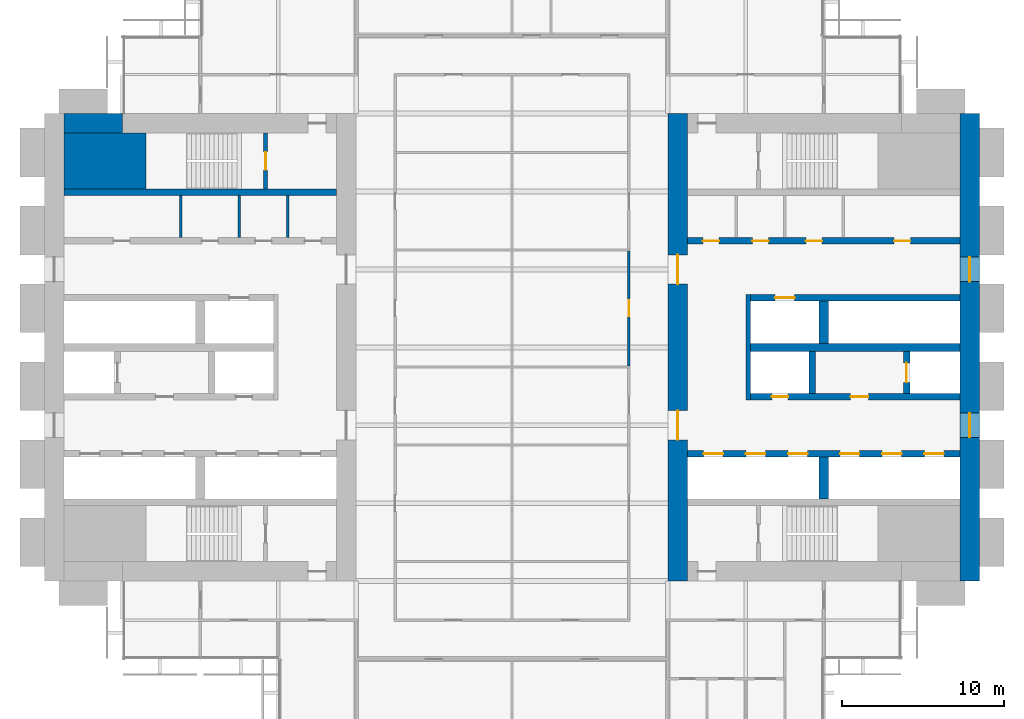
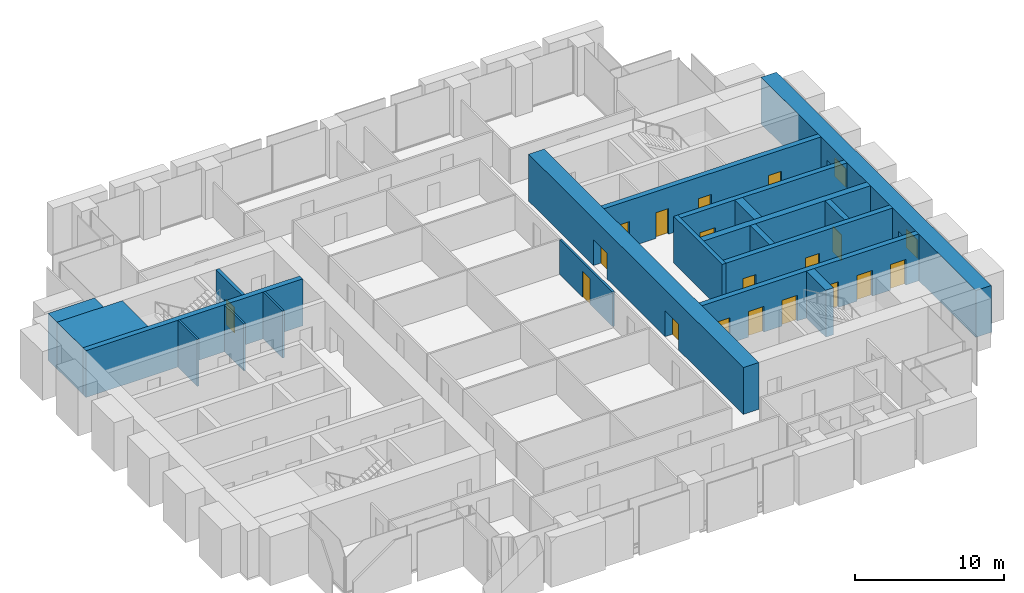
# One storey, part 11 of 14: 20 walls, 18 doors, 2 windows, 20 openings.
"""IFC4 building model written with IfcOpenShell, lengths in metres."""

from ifc_helpers import new_model, si_unit, direction, frame, frame_2d, origin, place, context, subcontext, project, spatial, rectangle, extrude, material, layer, layer_set, type_object, element, fill, save


model = new_model("IFC4")

# Units and contexts
model_context = context("Model", 3, precision=1e-05, world=origin(), true_north=direction((0.0, 1.0)))
body_context = subcontext(model_context, "Body", "Model", "MODEL_VIEW")
ifc_project = project(units=[si_unit("LENGTHUNIT", "METRE"), si_unit("AREAUNIT", "SQUARE_METRE"), si_unit("VOLUMEUNIT", "CUBIC_METRE"), si_unit("PLANEANGLEUNIT", "RADIAN"), si_unit("MASSUNIT", "GRAM", prefix="KILO")], contexts=[model_context])

# Site, building, storey
site_placement = place(None, origin())
site = spatial("IfcSite", under=ifc_project, at=site_placement, CompositionType="ELEMENT")
building_placement = place(site_placement, origin())
building = spatial("IfcBuilding", under=site, at=building_placement, Name="Baori Bourse Tower", CompositionType="ELEMENT")
storey_placement = place(building_placement, frame((0.0, 0.0, 55.0)))
storey = spatial("IfcBuildingStorey", under=building, at=storey_placement, Name="L11", CompositionType="ELEMENT", Elevation=55.0)

# Walls
ifc_material_1 = material(Name="Concrete f'c 70 MPa", Category="concrete")
wall_type_1 = type_object("IfcWallType", Name="Core corner block f'c 70", PredefinedType="SHEAR", material=ifc_material_1)
wall_1_placement = place(storey_placement, frame((1.199951171875, 35.47509765625, 0.0), z_axis=(0.0, 0.0, 1.0), x_axis=(1.0, 0.0, 0.0)))
element("IfcWall", 1, at=wall_1_placement, inside=storey, type_object=wall_type_1, Name="Core wall W22", PredefinedType="SHEAR", context=body_context, shape_type="SweptSolid", body=[
    extrude(rectangle(XDim=5.050048828125, YDim=3.449951171875, at=frame_2d((2.52490234375, 0.0))), origin(), (0.0, 0.0, 1.0), 3.840087890625),
])
ifc_material_2 = material(Name="Blockwork partition", Category="masonry")
ifc_layer_1 = layer(ifc_material_2, 0.14990234375)
ifc_layer_set_1 = layer_set([ifc_layer_1], Name="Core partition 150")
wall_type_2 = type_object("IfcWallType", Name="Core partition 150", PredefinedType="PARTITIONING", material=ifc_layer_set_1)
for number, where, z_axis, x_axis, name in (
    (2, (8.39990234375, 30.75, 0.0), (0.0, 0.0, 1.0), (0.0, 1.0, 0.0), "Partition wall W18"),
    (3, (12.0, 30.75, 0.0), (0.0, 0.0, 1.0), (0.0, 1.0, 0.0), "Partition wall W19"),
    (4, (15.0, 30.75, 0.0), (0.0, 0.0, 1.0), (0.0, 1.0, 0.0), "Partition wall W20"),
):
    element("IfcWall", number, at=place(storey_placement, frame(where, z_axis=z_axis, x_axis=x_axis)), inside=storey, type_object=wall_type_2, Name=name, PredefinedType="PARTITIONING", context=body_context, shape_type="SweptSolid", body=[
        extrude(rectangle(XDim=2.60009765625, YDim=0.14990234375, at=frame_2d((1.300048828125, 0.0))), origin(), (0.0, 0.0, 1.0), 3.840087890625),
    ])
ifc_material_3 = material(Name="Concrete f'c 70 MPa", Category="concrete")
ifc_layer_2 = layer(ifc_material_3, 1.199951171875)
ifc_layer_set_2 = layer_set([ifc_layer_2], Name="Core wall 1200 f'c 70")
wall_type_3 = type_object("IfcWallType", Name="Core wall 1200 f'c 70", PredefinedType="SHEAR", material=ifc_layer_set_2)
wall_2_placement = place(storey_placement, frame((1.199951171875, 37.800048828125, 0.0), z_axis=(0.0, 0.0, 1.0), x_axis=(1.0, 0.0, 0.0)))
element("IfcWall", 5, at=wall_2_placement, inside=storey, type_object=wall_type_3, Name="Core wall W24", PredefinedType="SHEAR", context=body_context, shape_type="SweptSolid", body=[
    extrude(rectangle(XDim=3.60009765625, YDim=1.199951171875, at=frame_2d((1.800048828125, 0.0))), origin(), (0.0, 0.0, 1.0), 3.840087890625),
])

# Wall, openings, windows
wall_3_placement = place(storey_placement, frame((57.0, 38.39990234375, 0.0), z_axis=(0.0, 0.0, 1.0), x_axis=(0.0, -1.0, 0.0)))
wall_3 = element("IfcWall", 6, at=wall_3_placement, inside=storey, type_object=wall_type_3, Name="Core wall E01", PredefinedType="SHEAR", context=body_context, shape_type="SweptSolid", body=[
    extrude(rectangle(XDim=28.7998046875, YDim=1.199951171875, at=frame_2d((14.39990234375, 0.0))), origin(), (0.0, 0.0, 1.0), 3.840087890625),
])
opening_1_placement = place(wall_3_placement, frame((18.449951171875, 0.0, 0.89990234375)))
opening_1 = element("IfcOpeningElement", 7, at=opening_1_placement, cuts=wall_3, Name="Opening L11-KW201", PredefinedType="OPENING", context=body_context, shape_type="SweptSolid", body=[
    extrude(rectangle(XDim=1.5, YDim=1.5, at=frame_2d((0.75, 0.75))), frame((0.0, 0.60986328125, 0.0), z_axis=(0.0, -1.0, 0.0), x_axis=(1.0, 0.0, 0.0)), (0.0, 0.0, 1.0), 1.219970703125),
])
opening_2_placement = place(wall_3_placement, frame((8.85009765625, 0.0, 0.89990234375)))
opening_2 = element("IfcOpeningElement", 8, at=opening_2_placement, cuts=wall_3, Name="Opening L11-KW202", PredefinedType="OPENING", context=body_context, shape_type="SweptSolid", body=[
    extrude(rectangle(XDim=1.5, YDim=1.5, at=frame_2d((0.75, 0.75))), frame((0.0, 0.60986328125, 0.0), z_axis=(0.0, -1.0, 0.0), x_axis=(1.0, 0.0, 0.0)), (0.0, 0.0, 1.0), 1.219970703125),
])
ifc_material_4 = material(Name="Pale anodised aluminium", Category="aluminium")
window_type = type_object("IfcWindowType", Name="Lobby window 1500 x 1500", PartitioningType="SINGLE_PANEL", PredefinedType="WINDOW", material=ifc_material_4)
window_1_placement = place(opening_1_placement, origin())
window_1 = element("IfcWindow", 9, at=window_1_placement, inside=storey, type_object=window_type, Name="Outer wall window E L11 1", OverallHeight=1.5, OverallWidth=1.5, PartitioningType="SINGLE_PANEL", PredefinedType="WINDOW", context=body_context, shape_type="SweptSolid", body=[
    extrude(rectangle(XDim=1.5, YDim=1.5, at=frame_2d((0.75, 0.75))), frame((0.0, 0.030029296875, 0.0), z_axis=(0.0, -1.0, 0.0), x_axis=(1.0, 0.0, 0.0)), (0.0, 0.0, 1.0), 0.06005859375),
])
fill(opening_1, window_1)
window_2_placement = place(opening_2_placement, origin())
window_2 = element("IfcWindow", 10, at=window_2_placement, inside=storey, type_object=window_type, Name="Outer wall window E L11 2", OverallHeight=1.5, OverallWidth=1.5, PartitioningType="SINGLE_PANEL", PredefinedType="WINDOW", context=body_context, shape_type="SweptSolid", body=[
    extrude(rectangle(XDim=1.5, YDim=1.5, at=frame_2d((0.75, 0.75))), frame((0.0, 0.030029296875, 0.0), z_axis=(0.0, -1.0, 0.0), x_axis=(1.0, 0.0, 0.0)), (0.0, 0.0, 1.0), 0.06005859375),
])
fill(opening_2, window_2)

# Wall, openings, doors
wall_4_placement = place(storey_placement, frame((39.0, 9.60009765625, 0.0), z_axis=(0.0, 0.0, 1.0), x_axis=(0.0, 1.0, 0.0)))
wall_4 = element("IfcWall", 11, at=wall_4_placement, inside=storey, type_object=wall_type_3, Name="Core wall E04", PredefinedType="SHEAR", context=body_context, shape_type="SweptSolid", body=[
    extrude(rectangle(XDim=28.7998046875, YDim=1.199951171875, at=frame_2d((14.39990234375, 0.0))), origin(), (0.0, 0.0, 1.0), 3.840087890625),
])
opening_3_placement = place(wall_4_placement, frame((8.699951171875, 0.0, 0.0)))
opening_3 = element("IfcOpeningElement", 12, at=opening_3_placement, cuts=wall_4, Name="Opening L11-D207", PredefinedType="OPENING", context=body_context, shape_type="SweptSolid", body=[
    extrude(rectangle(XDim=1.800048828125, YDim=2.10009765625, at=frame_2d((0.89990234375, 1.050048828125))), frame((0.0, 0.60986328125, 0.0), z_axis=(0.0, -1.0, 0.0), x_axis=(1.0, 0.0, 0.0)), (0.0, 0.0, 1.0), 1.219970703125),
])
opening_4_placement = place(wall_4_placement, frame((18.300048828125, 0.0, 0.0)))
opening_4 = element("IfcOpeningElement", 13, at=opening_4_placement, cuts=wall_4, Name="Opening L11-D208", PredefinedType="OPENING", context=body_context, shape_type="SweptSolid", body=[
    extrude(rectangle(XDim=1.800048828125, YDim=2.10009765625, at=frame_2d((0.89990234375, 1.050048828125))), frame((0.0, 0.60986328125, 0.0), z_axis=(0.0, -1.0, 0.0), x_axis=(1.0, 0.0, 0.0)), (0.0, 0.0, 1.0), 1.219970703125),
])
ifc_material_5 = material(Name="Painted steel door", Category="steel")
door_type_1 = type_object("IfcDoorType", Name="Core lobby door 1800", OperationType="DOUBLE_DOOR_SINGLE_SWING", PredefinedType="DOOR", material=ifc_material_5)
door_1_placement = place(opening_3_placement, origin())
door_1 = element("IfcDoor", 14, at=door_1_placement, inside=storey, type_object=door_type_1, Name="Lobby door E L11", OperationType="DOUBLE_DOOR_SINGLE_SWING", OverallHeight=2.10009765625, OverallWidth=1.800048828125, PredefinedType="DOOR", context=body_context, shape_type="SweptSolid", body=[
    extrude(rectangle(XDim=1.800048828125, YDim=2.10009765625, at=frame_2d((0.89990234375, 1.050048828125))), frame((0.0, 0.02490234375, 0.0), z_axis=(0.0, -1.0, 0.0), x_axis=(1.0, 0.0, 0.0)), (0.0, 0.0, 1.0), 0.050048828125),
])
fill(opening_3, door_1)
door_2_placement = place(opening_4_placement, origin())
door_2 = element("IfcDoor", 15, at=door_2_placement, inside=storey, type_object=door_type_1, Name="Lobby door E L11", OperationType="DOUBLE_DOOR_SINGLE_SWING", OverallHeight=2.10009765625, OverallWidth=1.800048828125, PredefinedType="DOOR", context=body_context, shape_type="SweptSolid", body=[
    extrude(rectangle(XDim=1.800048828125, YDim=2.10009765625, at=frame_2d((0.89990234375, 1.050048828125))), frame((0.0, 0.02490234375, 0.0), z_axis=(0.0, -1.0, 0.0), x_axis=(1.0, 0.0, 0.0)), (0.0, 0.0, 1.0), 0.050048828125),
])
fill(opening_4, door_2)

# Wall, opening, door
ifc_material_6 = material(Name="Gypsum board partition")
ifc_layer_3 = layer(ifc_material_6, 0.14990234375)
ifc_layer_set_3 = layer_set([ifc_layer_3], Name="Corridor partition 150")
wall_type_4 = type_object("IfcWallType", Name="Corridor partition 150", PredefinedType="PARTITIONING", material=ifc_layer_set_3)
wall_5_placement = place(storey_placement, frame((36.0, 22.862548828125, 0.0), z_axis=(0.0, 0.0, 1.0), x_axis=(0.0, 1.0, 0.0)))
wall_5 = element("IfcWall", 16, at=wall_5_placement, inside=storey, type_object=wall_type_4, Name="Partition", PredefinedType="PARTITIONING", context=body_context, shape_type="SweptSolid", body=[
    extrude(rectangle(XDim=7.074951171875, YDim=0.14990234375, at=frame_2d((3.53759765625, 0.0))), origin(), (0.0, 0.0, 1.0), 2.849365234375),
])
opening_5_placement = place(wall_5_placement, frame((3.03759765625, 0.0, 0.0)))
opening_5 = element("IfcOpeningElement", 17, at=opening_5_placement, cuts=wall_5, Name="Opening L11-D27", PredefinedType="OPENING", context=body_context, shape_type="SweptSolid", body=[
    extrude(rectangle(XDim=1.0, YDim=2.10009765625, at=frame_2d((0.5, 1.050048828125))), frame((0.0, 0.0849609375, 0.0), z_axis=(0.0, -1.0, 0.0), x_axis=(1.0, 0.0, 0.0)), (0.0, 0.0, 1.0), 0.169921875),
])
ifc_material_7 = material(Name="Timber door leaf", Category="wood")
door_type_2 = type_object("IfcDoorType", Name="Door 1000 x 2100", OperationType="SINGLE_SWING_LEFT", PredefinedType="DOOR", material=ifc_material_7)
door_3_placement = place(opening_5_placement, origin())
door_3 = element("IfcDoor", 18, at=door_3_placement, inside=storey, type_object=door_type_2, Name="Door", OperationType="SINGLE_SWING_RIGHT", OverallHeight=2.10009765625, OverallWidth=1.0, PredefinedType="DOOR", context=body_context, shape_type="SweptSolid", body=[
    extrude(rectangle(XDim=1.0, YDim=2.10009765625, at=frame_2d((0.5, 1.050048828125))), frame((0.0, 0.02490234375, 0.0), z_axis=(0.0, -1.0, 0.0), x_axis=(1.0, 0.0, 0.0)), (0.0, 0.0, 1.0), 0.050048828125),
])
fill(opening_5, door_3)

ifc_material_8 = material(Name="Concrete f'c 70 MPa", Category="concrete")
ifc_layer_4 = layer(ifc_material_8, 0.25)
ifc_layer_set_4 = layer_set([ifc_layer_4], Name="Shaft wall 250 f'c 70")
wall_type_5 = type_object("IfcWallType", Name="Shaft wall 250 f'c 70", PredefinedType="SHEAR", material=ifc_layer_set_4)
wall_6_placement = place(storey_placement, frame((13.625, 33.75, 0.0), z_axis=(0.0, 0.0, 1.0), x_axis=(0.0, 1.0, 0.0)))
wall_6 = element("IfcWall", 19, at=wall_6_placement, inside=storey, type_object=wall_type_5, Name="Core wall W23", PredefinedType="SHEAR", context=body_context, shape_type="SweptSolid", body=[
    extrude(rectangle(XDim=3.449951171875, YDim=0.25, at=frame_2d((1.72509765625, 0.0))), origin(), (0.0, 0.0, 1.0), 3.840087890625),
])
opening_6_placement = place(wall_6_placement, frame((1.175048828125, 0.0, 0.0)))
opening_6 = element("IfcOpeningElement", 20, at=opening_6_placement, cuts=wall_6, Name="Opening L11-D103", PredefinedType="OPENING", context=body_context, shape_type="SweptSolid", body=[
    extrude(rectangle(XDim=1.10009765625, YDim=2.10009765625, at=frame_2d((0.550048828125, 1.050048828125))), frame((0.0, 0.135009765625, 0.0), z_axis=(0.0, -1.0, 0.0), x_axis=(1.0, 0.0, 0.0)), (0.0, 0.0, 1.0), 0.27001953125),
])
ifc_material_9 = material(Name="Painted steel door", Category="steel")
door_type_3 = type_object("IfcDoorType", Name="Stair door 1100", OperationType="SINGLE_SWING_LEFT", PredefinedType="DOOR", material=ifc_material_9)
door_4_placement = place(opening_6_placement, origin())
door_4 = element("IfcDoor", 21, at=door_4_placement, inside=storey, type_object=door_type_3, Name="Stair door B W L11", OperationType="SINGLE_SWING_LEFT", OverallHeight=2.10009765625, OverallWidth=1.10009765625, PredefinedType="DOOR", context=body_context, shape_type="SweptSolid", body=[
    extrude(rectangle(XDim=1.10009765625, YDim=2.10009765625, at=frame_2d((0.550048828125, 1.050048828125))), frame((0.0, 0.02490234375, 0.0), z_axis=(0.0, -1.0, 0.0), x_axis=(1.0, 0.0, 0.0)), (0.0, 0.0, 1.0), 0.050048828125),
])
fill(opening_6, door_4)

# Walls
ifc_material_10 = material(Name="Concrete f'c 70 MPa", Category="concrete")
ifc_layer_5 = layer(ifc_material_10, 0.300048828125)
ifc_layer_set_5 = layer_set([ifc_layer_5], Name="Shaft wall 300 f'c 70")
wall_type_6 = type_object("IfcWallType", Name="Shaft wall 300 f'c 70", PredefinedType="SHEAR", material=ifc_layer_set_5)
wall_7_placement = place(storey_placement, frame((43.35009765625, 20.75, 0.0), z_axis=(0.0, 0.0, 1.0), x_axis=(0.0, 1.0, 0.0)))
element("IfcWall", 22, at=wall_7_placement, inside=storey, type_object=wall_type_6, Name="Core wall E11", PredefinedType="SHEAR", context=body_context, shape_type="SweptSolid", body=[
    extrude(rectangle(XDim=6.5, YDim=0.300048828125, at=frame_2d((3.25, 0.0))), origin(), (0.0, 0.0, 1.0), 3.840087890625),
])
ifc_material_11 = material(Name="Concrete f'c 70 MPa", Category="concrete")
ifc_layer_6 = layer(ifc_material_11, 0.39990234375)
ifc_layer_set_6 = layer_set([ifc_layer_6], Name="Shaft wall 400 f'c 70")
wall_type_7 = type_object("IfcWallType", Name="Shaft wall 400 f'c 70", PredefinedType="SHEAR", material=ifc_layer_set_6)
wall_8_placement = place(storey_placement, frame((1.199951171875, 33.550048828125, 0.0), z_axis=(0.0, 0.0, 1.0), x_axis=(1.0, 0.0, 0.0)))
element("IfcWall", 23, at=wall_8_placement, inside=storey, type_object=wall_type_7, Name="Core wall W21", PredefinedType="SHEAR", context=body_context, shape_type="SweptSolid", body=[
    extrude(rectangle(XDim=16.800048828125, YDim=0.39990234375, at=frame_2d((8.39990234375, 0.0))), origin(), (0.0, 0.0, 1.0), 3.840087890625),
])

# Wall, openings, doors
wall_9_placement = place(storey_placement, frame((39.60009765625, 17.449951171875, 0.0), z_axis=(0.0, 0.0, 1.0), x_axis=(1.0, 0.0, 0.0)))
wall_9 = element("IfcWall", 24, at=wall_9_placement, inside=storey, type_object=wall_type_7, Name="Core wall E09", PredefinedType="SHEAR", context=body_context, shape_type="SweptSolid", body=[
    extrude(rectangle(XDim=16.7998046875, YDim=0.39990234375, at=frame_2d((8.39990234375, 0.0))), origin(), (0.0, 0.0, 1.0), 3.840087890625),
])
opening_7_placement = place(wall_9_placement, frame((14.60009765625, 0.0, 0.0)))
opening_7 = element("IfcOpeningElement", 25, at=opening_7_placement, cuts=wall_9, Name="Opening L11-D213", PredefinedType="OPENING", context=body_context, shape_type="SweptSolid", body=[
    extrude(rectangle(XDim=1.199951171875, YDim=2.10009765625, at=frame_2d((0.60009765625, 1.050048828125))), frame((0.0, 0.2099609375, 0.0), z_axis=(0.0, -1.0, 0.0), x_axis=(1.0, 0.0, 0.0)), (0.0, 0.0, 1.0), 0.419921875),
])
opening_8_placement = place(wall_9_placement, frame((12.0, 0.0, 0.0)))
opening_8 = element("IfcOpeningElement", 26, at=opening_8_placement, cuts=wall_9, Name="Opening L11-D214", PredefinedType="OPENING", context=body_context, shape_type="SweptSolid", body=[
    extrude(rectangle(XDim=1.199951171875, YDim=2.10009765625, at=frame_2d((0.60009765625, 1.050048828125))), frame((0.0, 0.2099609375, 0.0), z_axis=(0.0, -1.0, 0.0), x_axis=(1.0, 0.0, 0.0)), (0.0, 0.0, 1.0), 0.419921875),
])
opening_9_placement = place(wall_9_placement, frame((9.39990234375, 0.0, 0.0)))
opening_9 = element("IfcOpeningElement", 27, at=opening_9_placement, cuts=wall_9, Name="Opening L11-D215", PredefinedType="OPENING", context=body_context, shape_type="SweptSolid", body=[
    extrude(rectangle(XDim=1.199951171875, YDim=2.10009765625, at=frame_2d((0.60009765625, 1.050048828125))), frame((0.0, 0.2099609375, 0.0), z_axis=(0.0, -1.0, 0.0), x_axis=(1.0, 0.0, 0.0)), (0.0, 0.0, 1.0), 0.419921875),
])
opening_10_placement = place(wall_9_placement, frame((6.199951171875, 0.0, 0.0)))
opening_10 = element("IfcOpeningElement", 28, at=opening_10_placement, cuts=wall_9, Name="Opening L11-D216", PredefinedType="OPENING", context=body_context, shape_type="SweptSolid", body=[
    extrude(rectangle(XDim=1.199951171875, YDim=2.10009765625, at=frame_2d((0.60009765625, 1.050048828125))), frame((0.0, 0.2099609375, 0.0), z_axis=(0.0, -1.0, 0.0), x_axis=(1.0, 0.0, 0.0)), (0.0, 0.0, 1.0), 0.419921875),
])
opening_11_placement = place(wall_9_placement, frame((3.60009765625, 0.0, 0.0)))
opening_11 = element("IfcOpeningElement", 29, at=opening_11_placement, cuts=wall_9, Name="Opening L11-D217", PredefinedType="OPENING", context=body_context, shape_type="SweptSolid", body=[
    extrude(rectangle(XDim=1.199951171875, YDim=2.10009765625, at=frame_2d((0.60009765625, 1.050048828125))), frame((0.0, 0.2099609375, 0.0), z_axis=(0.0, -1.0, 0.0), x_axis=(1.0, 0.0, 0.0)), (0.0, 0.0, 1.0), 0.419921875),
])
opening_12_placement = place(wall_9_placement, frame((1.0, 0.0, 0.0)))
opening_12 = element("IfcOpeningElement", 30, at=opening_12_placement, cuts=wall_9, Name="Opening L11-D218", PredefinedType="OPENING", context=body_context, shape_type="SweptSolid", body=[
    extrude(rectangle(XDim=1.199951171875, YDim=2.10009765625, at=frame_2d((0.60009765625, 1.050048828125))), frame((0.0, 0.2099609375, 0.0), z_axis=(0.0, -1.0, 0.0), x_axis=(1.0, 0.0, 0.0)), (0.0, 0.0, 1.0), 0.419921875),
])
ifc_material_12 = material(Name="Stainless steel door", Category="steel")
door_type_4 = type_object("IfcDoorType", Name="Lift landing door", OperationType="DOUBLE_DOOR_SLIDING", PredefinedType="DOOR", material=ifc_material_12)
door_5_placement = place(opening_7_placement, origin())
door_5 = element("IfcDoor", 31, at=door_5_placement, inside=storey, type_object=door_type_4, Name="Lift landing door LR1 E L11", OperationType="DOUBLE_DOOR_SLIDING", OverallHeight=2.10009765625, OverallWidth=1.199951171875, PredefinedType="DOOR", context=body_context, shape_type="SweptSolid", body=[
    extrude(rectangle(XDim=1.199951171875, YDim=2.10009765625, at=frame_2d((0.60009765625, 1.050048828125))), frame((0.0, 0.02490234375, 0.0), z_axis=(0.0, -1.0, 0.0), x_axis=(1.0, 0.0, 0.0)), (0.0, 0.0, 1.0), 0.050048828125),
])
fill(opening_7, door_5)
door_6_placement = place(opening_8_placement, origin())
door_6 = element("IfcDoor", 32, at=door_6_placement, inside=storey, type_object=door_type_4, Name="Lift landing door LR2 E L11", OperationType="DOUBLE_DOOR_SLIDING", OverallHeight=2.10009765625, OverallWidth=1.199951171875, PredefinedType="DOOR", context=body_context, shape_type="SweptSolid", body=[
    extrude(rectangle(XDim=1.199951171875, YDim=2.10009765625, at=frame_2d((0.60009765625, 1.050048828125))), frame((0.0, 0.02490234375, 0.0), z_axis=(0.0, -1.0, 0.0), x_axis=(1.0, 0.0, 0.0)), (0.0, 0.0, 1.0), 0.050048828125),
])
fill(opening_8, door_6)
door_7_placement = place(opening_9_placement, origin())
door_7 = element("IfcDoor", 33, at=door_7_placement, inside=storey, type_object=door_type_4, Name="Lift landing door LR3 E L11", OperationType="DOUBLE_DOOR_SLIDING", OverallHeight=2.10009765625, OverallWidth=1.199951171875, PredefinedType="DOOR", context=body_context, shape_type="SweptSolid", body=[
    extrude(rectangle(XDim=1.199951171875, YDim=2.10009765625, at=frame_2d((0.60009765625, 1.050048828125))), frame((0.0, 0.02490234375, 0.0), z_axis=(0.0, -1.0, 0.0), x_axis=(1.0, 0.0, 0.0)), (0.0, 0.0, 1.0), 0.050048828125),
])
fill(opening_9, door_7)
door_8_placement = place(opening_10_placement, origin())
door_8 = element("IfcDoor", 34, at=door_8_placement, inside=storey, type_object=door_type_4, Name="Lift landing door LR4 E L11", OperationType="DOUBLE_DOOR_SLIDING", OverallHeight=2.10009765625, OverallWidth=1.199951171875, PredefinedType="DOOR", context=body_context, shape_type="SweptSolid", body=[
    extrude(rectangle(XDim=1.199951171875, YDim=2.10009765625, at=frame_2d((0.60009765625, 1.050048828125))), frame((0.0, 0.02490234375, 0.0), z_axis=(0.0, -1.0, 0.0), x_axis=(1.0, 0.0, 0.0)), (0.0, 0.0, 1.0), 0.050048828125),
])
fill(opening_10, door_8)
door_9_placement = place(opening_11_placement, origin())
door_9 = element("IfcDoor", 35, at=door_9_placement, inside=storey, type_object=door_type_4, Name="Lift landing door LR5 E L11", OperationType="DOUBLE_DOOR_SLIDING", OverallHeight=2.10009765625, OverallWidth=1.199951171875, PredefinedType="DOOR", context=body_context, shape_type="SweptSolid", body=[
    extrude(rectangle(XDim=1.199951171875, YDim=2.10009765625, at=frame_2d((0.60009765625, 1.050048828125))), frame((0.0, 0.02490234375, 0.0), z_axis=(0.0, -1.0, 0.0), x_axis=(1.0, 0.0, 0.0)), (0.0, 0.0, 1.0), 0.050048828125),
])
fill(opening_11, door_9)
door_10_placement = place(opening_12_placement, origin())
door_10 = element("IfcDoor", 36, at=door_10_placement, inside=storey, type_object=door_type_4, Name="Lift landing door LR6 E L11", OperationType="DOUBLE_DOOR_SLIDING", OverallHeight=2.10009765625, OverallWidth=1.199951171875, PredefinedType="DOOR", context=body_context, shape_type="SweptSolid", body=[
    extrude(rectangle(XDim=1.199951171875, YDim=2.10009765625, at=frame_2d((0.60009765625, 1.050048828125))), frame((0.0, 0.02490234375, 0.0), z_axis=(0.0, -1.0, 0.0), x_axis=(1.0, 0.0, 0.0)), (0.0, 0.0, 1.0), 0.050048828125),
])
fill(opening_12, door_10)

wall_10_placement = place(storey_placement, frame((43.5, 20.949951171875, 0.0), z_axis=(0.0, 0.0, 1.0), x_axis=(1.0, 0.0, 0.0)))
wall_10 = element("IfcWall", 37, at=wall_10_placement, inside=storey, type_object=wall_type_7, Name="Core wall E10", PredefinedType="SHEAR", context=body_context, shape_type="SweptSolid", body=[
    extrude(rectangle(XDim=12.89990234375, YDim=0.39990234375, at=frame_2d((6.449951171875, 0.0))), origin(), (0.0, 0.0, 1.0), 3.840087890625),
])
opening_13_placement = place(wall_10_placement, frame((6.14990234375, 0.0, 0.0)))
opening_13 = element("IfcOpeningElement", 38, at=opening_13_placement, cuts=wall_10, Name="Opening L11-D205", PredefinedType="OPENING", context=body_context, shape_type="SweptSolid", body=[
    extrude(rectangle(XDim=1.10009765625, YDim=2.10009765625, at=frame_2d((0.550048828125, 1.050048828125))), frame((0.0, 0.2099609375, 0.0), z_axis=(0.0, -1.0, 0.0), x_axis=(1.0, 0.0, 0.0)), (0.0, 0.0, 1.0), 0.419921875),
])
opening_14_placement = place(wall_10_placement, frame((1.300048828125, 0.0, 0.0)))
opening_14 = element("IfcOpeningElement", 39, at=opening_14_placement, cuts=wall_10, Name="Opening L11-D206", PredefinedType="OPENING", context=body_context, shape_type="SweptSolid", body=[
    extrude(rectangle(XDim=1.0, YDim=2.10009765625, at=frame_2d((0.5, 1.050048828125))), frame((0.0, 0.2099609375, 0.0), z_axis=(0.0, -1.0, 0.0), x_axis=(1.0, 0.0, 0.0)), (0.0, 0.0, 1.0), 0.419921875),
])
ifc_material_13 = material(Name="Painted steel door", Category="steel")
door_type_5 = type_object("IfcDoorType", Name="Lobby door 1100", OperationType="SINGLE_SWING_LEFT", PredefinedType="DOOR", material=ifc_material_13)
door_11_placement = place(opening_13_placement, origin())
door_11 = element("IfcDoor", 40, at=door_11_placement, inside=storey, type_object=door_type_5, Name="Firefighting lobby door E L11", OperationType="SINGLE_SWING_LEFT", OverallHeight=2.10009765625, OverallWidth=1.10009765625, PredefinedType="DOOR", context=body_context, shape_type="SweptSolid", body=[
    extrude(rectangle(XDim=1.10009765625, YDim=2.10009765625, at=frame_2d((0.550048828125, 1.050048828125))), frame((0.0, 0.02490234375, 0.0), z_axis=(0.0, -1.0, 0.0), x_axis=(1.0, 0.0, 0.0)), (0.0, 0.0, 1.0), 0.050048828125),
])
fill(opening_13, door_11)
ifc_material_14 = material(Name="Painted steel door", Category="steel")
door_type_6 = type_object("IfcDoorType", Name="Shaft door 1000", OperationType="SINGLE_SWING_LEFT", PredefinedType="DOOR", material=ifc_material_14)
door_12_placement = place(opening_14_placement, origin())
door_12 = element("IfcDoor", 41, at=door_12_placement, inside=storey, type_object=door_type_6, Name="Riser room door E L11", OperationType="SINGLE_SWING_LEFT", OverallHeight=2.10009765625, OverallWidth=1.0, PredefinedType="DOOR", context=body_context, shape_type="SweptSolid", body=[
    extrude(rectangle(XDim=1.0, YDim=2.10009765625, at=frame_2d((0.5, 1.050048828125))), frame((0.0, 0.02490234375, 0.0), z_axis=(0.0, -1.0, 0.0), x_axis=(1.0, 0.0, 0.0)), (0.0, 0.0, 1.0), 0.050048828125),
])
fill(opening_14, door_12)

# Wall, opening, door
wall_11_placement = place(storey_placement, frame((53.10009765625, 21.14990234375, 0.0), z_axis=(0.0, 0.0, 1.0), x_axis=(0.0, 1.0, 0.0)))
wall_11 = element("IfcWall", 42, at=wall_11_placement, inside=storey, type_object=wall_type_7, Name="Core wall E12", PredefinedType="SHEAR", context=body_context, shape_type="SweptSolid", body=[
    extrude(rectangle(XDim=2.60009765625, YDim=0.39990234375, at=frame_2d((1.300048828125, 0.0))), origin(), (0.0, 0.0, 1.0), 3.840087890625),
])
opening_15_placement = place(wall_11_placement, frame((0.699951171875, 0.0, 0.0)))
opening_15 = element("IfcOpeningElement", 43, at=opening_15_placement, cuts=wall_11, Name="Opening L11-D220", PredefinedType="OPENING", context=body_context, shape_type="SweptSolid", body=[
    extrude(rectangle(XDim=1.199951171875, YDim=2.10009765625, at=frame_2d((0.60009765625, 1.050048828125))), frame((0.0, 0.2099609375, 0.0), z_axis=(0.0, -1.0, 0.0), x_axis=(1.0, 0.0, 0.0)), (0.0, 0.0, 1.0), 0.419921875),
])
door_13_placement = place(opening_15_placement, origin())
door_13 = element("IfcDoor", 44, at=door_13_placement, inside=storey, type_object=door_type_4, Name="Lift landing door FF2 E L11", OperationType="DOUBLE_DOOR_SLIDING", OverallHeight=2.10009765625, OverallWidth=1.199951171875, PredefinedType="DOOR", context=body_context, shape_type="SweptSolid", body=[
    extrude(rectangle(XDim=1.199951171875, YDim=2.10009765625, at=frame_2d((0.60009765625, 1.050048828125))), frame((0.0, 0.02490234375, 0.0), z_axis=(0.0, -1.0, 0.0), x_axis=(1.0, 0.0, 0.0)), (0.0, 0.0, 1.0), 0.050048828125),
])
fill(opening_15, door_13)

# Wall
wall_12_placement = place(storey_placement, frame((47.300048828125, 21.14990234375, 0.0), z_axis=(0.0, 0.0, 1.0), x_axis=(0.0, 1.0, 0.0)))
element("IfcWall", 45, at=wall_12_placement, inside=storey, type_object=wall_type_7, Name="Core wall E13", PredefinedType="SHEAR", context=body_context, shape_type="SweptSolid", body=[
    extrude(rectangle(XDim=2.60009765625, YDim=0.39990234375, at=frame_2d((1.300048828125, 0.0))), origin(), (0.0, 0.0, 1.0), 3.840087890625),
])

# Wall, opening, door
wall_13_placement = place(storey_placement, frame((43.5, 27.050048828125, 0.0), z_axis=(0.0, 0.0, 1.0), x_axis=(1.0, 0.0, 0.0)))
wall_13 = element("IfcWall", 46, at=wall_13_placement, inside=storey, type_object=wall_type_7, Name="Core wall E16", PredefinedType="SHEAR", context=body_context, shape_type="SweptSolid", body=[
    extrude(rectangle(XDim=12.89990234375, YDim=0.39990234375, at=frame_2d((6.449951171875, 0.0))), origin(), (0.0, 0.0, 1.0), 3.840087890625),
])
opening_16_placement = place(wall_13_placement, frame((1.5, 0.0, 0.0)))
opening_16 = element("IfcOpeningElement", 47, at=opening_16_placement, cuts=wall_13, Name="Opening L11-D219", PredefinedType="OPENING", context=body_context, shape_type="SweptSolid", body=[
    extrude(rectangle(XDim=1.199951171875, YDim=2.10009765625, at=frame_2d((0.60009765625, 1.050048828125))), frame((0.0, 0.2099609375, 0.0), z_axis=(0.0, -1.0, 0.0), x_axis=(1.0, 0.0, 0.0)), (0.0, 0.0, 1.0), 0.419921875),
])
door_14_placement = place(opening_16_placement, origin())
door_14 = element("IfcDoor", 48, at=door_14_placement, inside=storey, type_object=door_type_4, Name="Lift landing door SV1 E L11", OperationType="DOUBLE_DOOR_SLIDING", OverallHeight=2.10009765625, OverallWidth=1.199951171875, PredefinedType="DOOR", context=body_context, shape_type="SweptSolid", body=[
    extrude(rectangle(XDim=1.199951171875, YDim=2.10009765625, at=frame_2d((0.60009765625, 1.050048828125))), frame((0.0, 0.02490234375, 0.0), z_axis=(0.0, -1.0, 0.0), x_axis=(1.0, 0.0, 0.0)), (0.0, 0.0, 1.0), 0.050048828125),
])
fill(opening_16, door_14)

# Wall, openings, doors
wall_14_placement = place(storey_placement, frame((39.60009765625, 30.550048828125, 0.0), z_axis=(0.0, 0.0, 1.0), x_axis=(1.0, 0.0, 0.0)))
wall_14 = element("IfcWall", 49, at=wall_14_placement, inside=storey, type_object=wall_type_7, Name="Core wall E17", PredefinedType="SHEAR", context=body_context, shape_type="SweptSolid", body=[
    extrude(rectangle(XDim=16.7998046875, YDim=0.39990234375, at=frame_2d((8.39990234375, 0.0))), origin(), (0.0, 0.0, 1.0), 3.840087890625),
])
opening_17_placement = place(wall_14_placement, frame((12.737548828125, 0.0, 0.0)))
opening_17 = element("IfcOpeningElement", 50, at=opening_17_placement, cuts=wall_14, Name="Opening L11-D209", PredefinedType="OPENING", context=body_context, shape_type="SweptSolid", body=[
    extrude(rectangle(XDim=1.0, YDim=2.10009765625, at=frame_2d((0.5, 1.050048828125))), frame((0.0, 0.2099609375, 0.0), z_axis=(0.0, -1.0, 0.0), x_axis=(1.0, 0.0, 0.0)), (0.0, 0.0, 1.0), 0.419921875),
])
opening_18_placement = place(wall_14_placement, frame((7.300048828125, 0.0, 0.0)))
opening_18 = element("IfcOpeningElement", 51, at=opening_18_placement, cuts=wall_14, Name="Opening L11-D210", PredefinedType="OPENING", context=body_context, shape_type="SweptSolid", body=[
    extrude(rectangle(XDim=1.0, YDim=2.10009765625, at=frame_2d((0.5, 1.050048828125))), frame((0.0, 0.2099609375, 0.0), z_axis=(0.0, -1.0, 0.0), x_axis=(1.0, 0.0, 0.0)), (0.0, 0.0, 1.0), 0.419921875),
])
opening_19_placement = place(wall_14_placement, frame((4.0, 0.0, 0.0)))
opening_19 = element("IfcOpeningElement", 52, at=opening_19_placement, cuts=wall_14, Name="Opening L11-D211", PredefinedType="OPENING", context=body_context, shape_type="SweptSolid", body=[
    extrude(rectangle(XDim=1.0, YDim=2.10009765625, at=frame_2d((0.5, 1.050048828125))), frame((0.0, 0.2099609375, 0.0), z_axis=(0.0, -1.0, 0.0), x_axis=(1.0, 0.0, 0.0)), (0.0, 0.0, 1.0), 0.419921875),
])
opening_20_placement = place(wall_14_placement, frame((0.96240234375, 0.0, 0.0)))
opening_20 = element("IfcOpeningElement", 53, at=opening_20_placement, cuts=wall_14, Name="Opening L11-D212", PredefinedType="OPENING", context=body_context, shape_type="SweptSolid", body=[
    extrude(rectangle(XDim=1.0, YDim=2.10009765625, at=frame_2d((0.5, 1.050048828125))), frame((0.0, 0.2099609375, 0.0), z_axis=(0.0, -1.0, 0.0), x_axis=(1.0, 0.0, 0.0)), (0.0, 0.0, 1.0), 0.419921875),
])
ifc_material_15 = material(Name="Painted steel door", Category="steel")
door_type_7 = type_object("IfcDoorType", Name="Core door 1000", OperationType="SINGLE_SWING_LEFT", PredefinedType="DOOR", material=ifc_material_15)
door_15_placement = place(opening_17_placement, origin())
door_15 = element("IfcDoor", 54, at=door_15_placement, inside=storey, type_object=door_type_7, Name="Men'S Wc door E L11", OperationType="SINGLE_SWING_LEFT", OverallHeight=2.10009765625, OverallWidth=1.0, PredefinedType="DOOR", context=body_context, shape_type="SweptSolid", body=[
    extrude(rectangle(XDim=1.0, YDim=2.10009765625, at=frame_2d((0.5, 1.050048828125))), frame((0.0, 0.02490234375, 0.0), z_axis=(0.0, -1.0, 0.0), x_axis=(1.0, 0.0, 0.0)), (0.0, 0.0, 1.0), 0.050048828125),
])
fill(opening_17, door_15)
door_16_placement = place(opening_18_placement, origin())
door_16 = element("IfcDoor", 55, at=door_16_placement, inside=storey, type_object=door_type_7, Name="Women'S Wc door E L11", OperationType="SINGLE_SWING_LEFT", OverallHeight=2.10009765625, OverallWidth=1.0, PredefinedType="DOOR", context=body_context, shape_type="SweptSolid", body=[
    extrude(rectangle(XDim=1.0, YDim=2.10009765625, at=frame_2d((0.5, 1.050048828125))), frame((0.0, 0.02490234375, 0.0), z_axis=(0.0, -1.0, 0.0), x_axis=(1.0, 0.0, 0.0)), (0.0, 0.0, 1.0), 0.050048828125),
])
fill(opening_18, door_16)
door_17_placement = place(opening_19_placement, origin())
door_17 = element("IfcDoor", 56, at=door_17_placement, inside=storey, type_object=door_type_7, Name="Accessible Wc door E L11", OperationType="SINGLE_SWING_LEFT", OverallHeight=2.10009765625, OverallWidth=1.0, PredefinedType="DOOR", context=body_context, shape_type="SweptSolid", body=[
    extrude(rectangle(XDim=1.0, YDim=2.10009765625, at=frame_2d((0.5, 1.050048828125))), frame((0.0, 0.02490234375, 0.0), z_axis=(0.0, -1.0, 0.0), x_axis=(1.0, 0.0, 0.0)), (0.0, 0.0, 1.0), 0.050048828125),
])
fill(opening_19, door_17)
ifc_material_16 = material(Name="Painted steel door", Category="steel")
door_type_8 = type_object("IfcDoorType", Name="Plant room door 1000", OperationType="SINGLE_SWING_LEFT", PredefinedType="DOOR", material=ifc_material_16)
door_18_placement = place(opening_20_placement, origin())
door_18 = element("IfcDoor", 57, at=door_18_placement, inside=storey, type_object=door_type_8, Name="Communications Room door E L11", OperationType="SINGLE_SWING_LEFT", OverallHeight=2.10009765625, OverallWidth=1.0, PredefinedType="DOOR", context=body_context, shape_type="SweptSolid", body=[
    extrude(rectangle(XDim=1.0, YDim=2.10009765625, at=frame_2d((0.5, 1.050048828125))), frame((0.0, 0.02490234375, 0.0), z_axis=(0.0, -1.0, 0.0), x_axis=(1.0, 0.0, 0.0)), (0.0, 0.0, 1.0), 0.050048828125),
])
fill(opening_20, door_18)

# Walls
ifc_material_17 = material(Name="Concrete f'c 70 MPa", Category="concrete")
ifc_layer_7 = layer(ifc_material_17, 0.5)
ifc_layer_set_7 = layer_set([ifc_layer_7], Name="Shaft wall 500 f'c 70")
wall_type_8 = type_object("IfcWallType", Name="Shaft wall 500 f'c 70", PredefinedType="SHEAR", material=ifc_layer_set_7)
wall_15_placement = place(storey_placement, frame((43.5, 24.0, 0.0), z_axis=(0.0, 0.0, 1.0), x_axis=(1.0, 0.0, 0.0)))
element("IfcWall", 58, at=wall_15_placement, inside=storey, type_object=wall_type_8, Name="Core wall E14", PredefinedType="SHEAR", context=body_context, shape_type="SweptSolid", body=[
    extrude(rectangle(XDim=12.89990234375, YDim=0.5, at=frame_2d((6.449951171875, 0.0))), origin(), (0.0, 0.0, 1.0), 3.840087890625),
])
ifc_material_18 = material(Name="Concrete f'c 70 MPa", Category="concrete")
ifc_layer_8 = layer(ifc_material_18, 0.60009765625)
ifc_layer_set_8 = layer_set([ifc_layer_8], Name="Shaft wall 600 f'c 70")
wall_type_9 = type_object("IfcWallType", Name="Shaft wall 600 f'c 70", PredefinedType="SHEAR", material=ifc_layer_set_8)
for number, where, z_axis, x_axis, name in (
    (59, (48.0, 14.64990234375, 0.0), (0.0, 0.0, 1.0), (0.0, 1.0, 0.0), "Core wall E08"),
    (60, (48.0, 24.25, 0.0), (0.0, 0.0, 1.0), (0.0, 1.0, 0.0), "Core wall E15"),
):
    element("IfcWall", number, at=place(storey_placement, frame(where, z_axis=z_axis, x_axis=x_axis)), inside=storey, type_object=wall_type_9, Name=name, PredefinedType="SHEAR", context=body_context, shape_type="SweptSolid", body=[
        extrude(rectangle(XDim=2.60009765625, YDim=0.60009765625, at=frame_2d((1.300048828125, 0.0))), origin(), (0.0, 0.0, 1.0), 3.840087890625),
    ])

save(model, "model.ifc")
